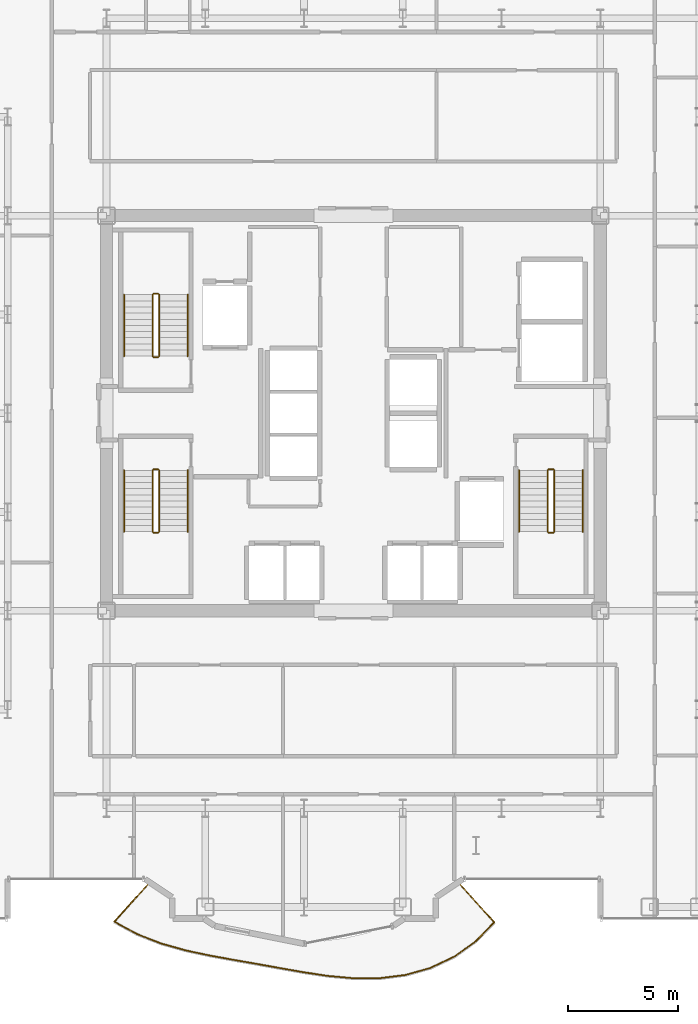
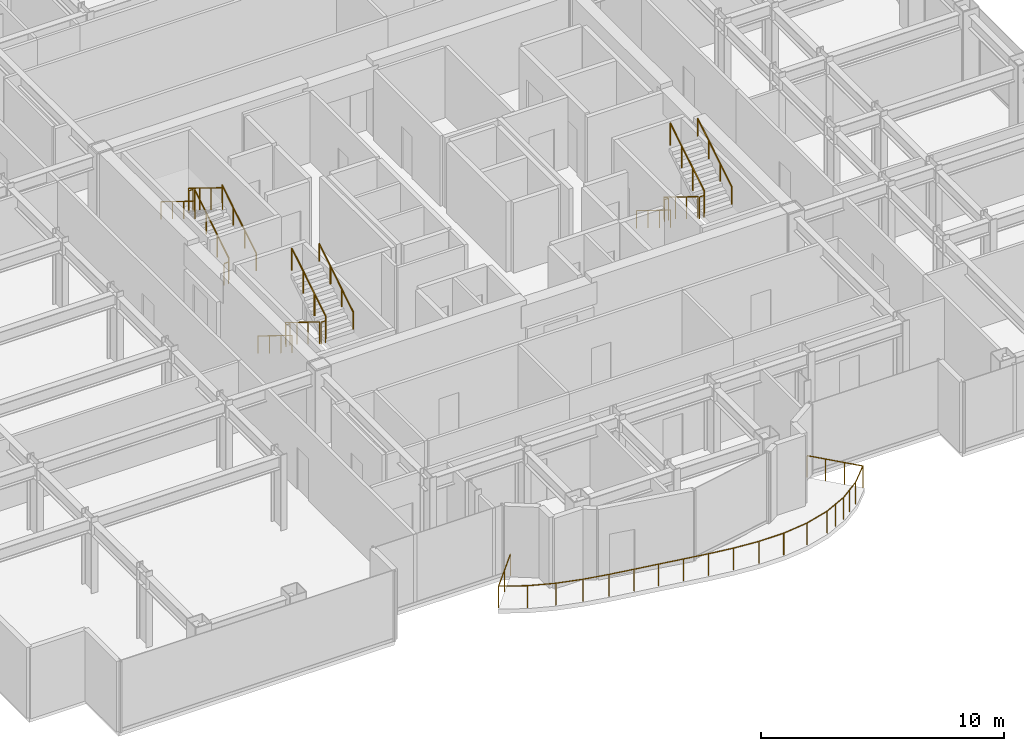
# One storey, part 24 of 25: 19 railings.
"""IFC4 building model written with IfcOpenShell, lengths in metres."""

from ifc_helpers import new_model, si_unit, direction, frame, origin, origin_2d, place, context, subcontext, project, spatial, circle, extrude, material, type_object, element, save


model = new_model("IFC4")

# Units and contexts
model_context = context("Model", 3, precision=1e-05, world=origin(), true_north=direction((0.0, 1.0)))
body_context = subcontext(model_context, "Body", "Model", "MODEL_VIEW")
ifc_project = project(units=[si_unit("LENGTHUNIT", "METRE"), si_unit("AREAUNIT", "SQUARE_METRE"), si_unit("VOLUMEUNIT", "CUBIC_METRE"), si_unit("PLANEANGLEUNIT", "RADIAN"), si_unit("MASSUNIT", "GRAM", prefix="KILO")], contexts=[model_context])

# Site, building, storey
site_placement = place(None, origin())
site = spatial("IfcSite", under=ifc_project, at=site_placement, CompositionType="ELEMENT")
building_placement = place(site_placement, origin())
building = spatial("IfcBuilding", under=site, at=building_placement, Name="Nefas-Gora Pilgrimage Tower", CompositionType="ELEMENT")
storey_placement = place(building_placement, frame((0.0, 0.0, 194.39990234375)))
storey = spatial("IfcBuildingStorey", under=building, at=storey_placement, Name="L48", CompositionType="ELEMENT", Elevation=194.39990234375)

# Railings
ifc_material_1 = material(Name="Laminated safety glass and stainless steel", Category="steel")
railing_type_1 = type_object("IfcRailingType", Name="RLG-BAL-1100", PredefinedType="BALUSTRADE", material=ifc_material_1)
railing_1_placement = place(storey_placement, frame((-9.302490234375, -21.402587890625, 0.0)))
element("IfcRailing", 1, at=railing_1_placement, inside=storey, type_object=railing_type_1, Name="L48 Wave Balcony Balustrade S2", PredefinedType="BALUSTRADE", context=body_context, shape_type="SweptSolid", body=[
    extrude(circle(Radius=0.02392578125, at=origin_2d()), frame((0.0, 0.0, 1.09619140625), z_axis=(-0.669135077133, -0.74314079995, 0.0), x_axis=(0.74314079995, -0.669135077133, 0.0)), (0.0, 0.0, 1.0), 2.375244140625),
    extrude(circle(Radius=0.02392578125, at=origin_2d()), frame((-1.58935546875, -1.76513671875, 1.09619140625), z_axis=(0.878083063922, -0.478508236976, 0.0), x_axis=(0.478508236976, 0.878083063922, 0.0)), (0.0, 0.0, 1.0), 1.19384765625),
    extrude(circle(Radius=0.02392578125, at=origin_2d()), frame((-0.541015625, -2.33642578125, 1.09619140625), z_axis=(0.932264516766, -0.361777377374, 0.0), x_axis=(0.361777377374, 0.932264516766, 0.0)), (0.0, 0.0, 1.0), 1.18017578125),
    extrude(circle(Radius=0.02392578125, at=origin_2d()), frame((0.559326171875, -2.763427734375, 1.09619140625), z_axis=(0.962944291486, -0.269700373552, 0.0), x_axis=(0.269700373552, 0.962944291486, 0.0)), (0.0, 0.0, 1.0), 1.156982421875),
    extrude(circle(Radius=0.02392578125, at=origin_2d()), frame((1.67333984375, -3.075439453125, 1.09619140625), z_axis=(0.978071187114, -0.208270864351, 0.0), x_axis=(0.208270864351, 0.978071187114, 0.0)), (0.0, 0.0, 1.0), 1.12646484375),
    extrude(circle(Radius=0.02392578125, at=origin_2d()), frame((2.775146484375, -3.31005859375, 1.09619140625), z_axis=(0.983987188897, -0.178239199074, 0.0), x_axis=(0.178239199074, 0.983987188897, 0.0)), (0.0, 0.0, 1.0), 1.09716796875),
    extrude(circle(Radius=0.02392578125, at=origin_2d()), frame((3.854736328125, -3.505615234375, 1.09619140625), z_axis=(0.985033351449, -0.172363849265, 0.0), x_axis=(0.172363849265, 0.985033351449, 0.0)), (0.0, 0.0, 1.0), 1.077880859375),
    extrude(circle(Radius=0.02392578125, at=origin_2d()), frame((4.91650390625, -3.69140625, 1.09619140625), z_axis=(0.984191230585, -0.177109067071, 0.0), x_axis=(0.177109067071, 0.984191230585, 0.0)), (0.0, 0.0, 1.0), 1.07666015625),
    extrude(circle(Radius=0.02392578125, at=origin_2d()), frame((5.97607421875, -3.882080078125, 1.09619140625), z_axis=(0.984747561973, -0.173989192737, 0.0), x_axis=(0.173989192737, 0.984747561973, 0.0)), (0.0, 0.0, 1.0), 1.093017578125),
    extrude(circle(Radius=0.02392578125, at=origin_2d()), frame((7.052490234375, -4.072265625, 1.09619140625), z_axis=(0.98891878254, -0.148457541204, 0.0), x_axis=(0.148457541204, 0.98891878254, 0.0)), (0.0, 0.0, 1.0), 1.12158203125),
    extrude(circle(Radius=0.02392578125, at=origin_2d()), frame((8.16162109375, -4.23876953125, 1.09619140625), z_axis=(0.995840939659, -0.091108851926, 0.0), x_axis=(0.091108851926, 0.995840939659, 0.0)), (0.0, 0.0, 1.0), 1.15234375),
    extrude(circle(Radius=0.02392578125, at=origin_2d()), frame((9.30908203125, -4.34375, 1.09619140625), z_axis=(0.999999806466, 0.000622148366, 0.0), x_axis=(-0.000622148366, 0.999999806466, 0.0)), (0.0, 0.0, 1.0), 1.17724609375),
    extrude(circle(Radius=0.02392578125, at=origin_2d()), frame((10.486328125, -4.343017578125, 1.09619140625), z_axis=(0.992246343829, 0.124286737661, 0.0), x_axis=(-0.124286737661, 0.992246343829, 0.0)), (0.0, 0.0, 1.0), 1.1923828125),
    extrude(circle(Radius=0.02392578125, at=origin_2d()), frame((11.66943359375, -4.19482421875, 1.09619140625), z_axis=(0.962380056338, 0.271706877282, 0.0), x_axis=(-0.271706877282, 0.962380056338, 0.0)), (0.0, 0.0, 1.0), 1.19873046875),
    extrude(circle(Radius=0.02392578125, at=origin_2d()), frame((12.822998046875, -3.869140625, 1.09619140625), z_axis=(0.902687538692, 0.430296650568, 0.0), x_axis=(-0.430296650568, 0.902687538692, 0.0)), (0.0, 0.0, 1.0), 1.20068359375),
    extrude(circle(Radius=0.02392578125, at=origin_2d()), frame((13.90673828125, -3.3525390625, 1.09619140625), z_axis=(0.812274321028, 0.58327560158, 0.0), x_axis=(-0.58327560158, 0.812274321028, 0.0)), (0.0, 0.0, 1.0), 1.200439453125),
    extrude(circle(Radius=0.02392578125, at=origin_2d()), frame((14.8818359375, -2.65234375, 1.09619140625), z_axis=(0.699126878219, 0.714997628074, 0.0), x_axis=(-0.714997628074, 0.699126878219, 0.0)), (0.0, 0.0, 1.0), 1.199951171875),
    extrude(circle(Radius=0.02392578125, at=origin_2d()), frame((15.720703125, -1.79443359375, 1.09619140625), z_axis=(-0.669132296829, 0.743143303368, 0.0), x_axis=(-0.743143303368, -0.669132296829, 0.0)), (0.0, 0.0, 1.0), 2.41455078125),
    extrude(circle(Radius=0.02099609375, at=origin_2d()), origin(), (0.0, 0.0, 1.0), 1.072021484375),
    extrude(circle(Radius=0.02099609375, at=origin_2d()), frame((-0.794677734375, -0.882568359375, 0.0)), (0.0, 0.0, 1.0), 1.072021484375),
    extrude(circle(Radius=0.02099609375, at=origin_2d()), frame((-1.58935546875, -1.76513671875, 0.0)), (0.0, 0.0, 1.0), 1.072021484375),
    extrude(circle(Radius=0.02099609375, at=origin_2d()), frame((-0.541015625, -2.33642578125, 0.0)), (0.0, 0.0, 1.0), 1.072021484375),
    extrude(circle(Radius=0.02099609375, at=origin_2d()), frame((0.559326171875, -2.763427734375, 0.0)), (0.0, 0.0, 1.0), 1.072021484375),
    extrude(circle(Radius=0.02099609375, at=origin_2d()), frame((1.67333984375, -3.075439453125, 0.0)), (0.0, 0.0, 1.0), 1.072021484375),
    extrude(circle(Radius=0.02099609375, at=origin_2d()), frame((2.775146484375, -3.31005859375, 0.0)), (0.0, 0.0, 1.0), 1.072021484375),
    extrude(circle(Radius=0.02099609375, at=origin_2d()), frame((3.854736328125, -3.505615234375, 0.0)), (0.0, 0.0, 1.0), 1.072021484375),
    extrude(circle(Radius=0.02099609375, at=origin_2d()), frame((4.91650390625, -3.69140625, 0.0)), (0.0, 0.0, 1.0), 1.072021484375),
    extrude(circle(Radius=0.02099609375, at=origin_2d()), frame((5.97607421875, -3.882080078125, 0.0)), (0.0, 0.0, 1.0), 1.072021484375),
    extrude(circle(Radius=0.02099609375, at=origin_2d()), frame((7.052490234375, -4.072265625, 0.0)), (0.0, 0.0, 1.0), 1.072021484375),
    extrude(circle(Radius=0.02099609375, at=origin_2d()), frame((8.16162109375, -4.23876953125, 0.0)), (0.0, 0.0, 1.0), 1.072021484375),
    extrude(circle(Radius=0.02099609375, at=origin_2d()), frame((9.30908203125, -4.34375, 0.0)), (0.0, 0.0, 1.0), 1.072021484375),
    extrude(circle(Radius=0.02099609375, at=origin_2d()), frame((10.486328125, -4.343017578125, 0.0)), (0.0, 0.0, 1.0), 1.072021484375),
    extrude(circle(Radius=0.02099609375, at=origin_2d()), frame((11.66943359375, -4.19482421875, 0.0)), (0.0, 0.0, 1.0), 1.072021484375),
    extrude(circle(Radius=0.02099609375, at=origin_2d()), frame((12.822998046875, -3.869140625, 0.0)), (0.0, 0.0, 1.0), 1.072021484375),
    extrude(circle(Radius=0.02099609375, at=origin_2d()), frame((13.36474609375, -3.61083984375, 0.0)), (0.0, 0.0, 1.0), 1.072021484375),
    extrude(circle(Radius=0.02099609375, at=origin_2d()), frame((13.90673828125, -3.3525390625, 0.0)), (0.0, 0.0, 1.0), 1.072021484375),
    extrude(circle(Radius=0.02099609375, at=origin_2d()), frame((14.394287109375, -3.00244140625, 0.0)), (0.0, 0.0, 1.0), 1.072021484375),
    extrude(circle(Radius=0.02099609375, at=origin_2d()), frame((14.8818359375, -2.65234375, 0.0)), (0.0, 0.0, 1.0), 1.072021484375),
    extrude(circle(Radius=0.02099609375, at=origin_2d()), frame((15.720703125, -1.79443359375, 0.0)), (0.0, 0.0, 1.0), 1.072021484375),
    extrude(circle(Radius=0.02099609375, at=origin_2d()), frame((15.18212890625, -1.1962890625, 0.0)), (0.0, 0.0, 1.0), 1.072021484375),
    extrude(circle(Radius=0.02099609375, at=origin_2d()), frame((14.6435546875, -0.59814453125, 0.0)), (0.0, 0.0, 1.0), 1.072021484375),
    extrude(circle(Radius=0.02099609375, at=origin_2d()), frame((14.10498046875, 0.0, 0.0)), (0.0, 0.0, 1.0), 1.072021484375),
])
ifc_material_2 = material(Name="Painted galvanised steel", Category="steel")
railing_type_2 = type_object("IfcRailingType", Name="RLG-STR-GUARD-1100", PredefinedType="GUARDRAIL", material=ifc_material_2)
railing_2_placement = place(storey_placement, frame((-8.85009765625, 2.60009765625, 0.1728515625)))
element("IfcRailing", 2, at=railing_2_placement, inside=storey, type_object=railing_type_2, Name="L48 ST-01 stair guard 1", PredefinedType="GUARDRAIL", context=body_context, shape_type="SweptSolid", body=[
    extrude(circle(Radius=0.02392578125, at=origin_2d()), frame((0.0, 0.0, 1.09619140625), z_axis=(0.0, 0.851069175582, 0.525053576669), x_axis=(-1.0, 0.0, 0.0)), (0.0, 0.0, 1.0), 3.289794921875),
    extrude(circle(Radius=0.02099609375, at=origin_2d()), origin(), (0.0, 0.0, 1.0), 1.072021484375),
    extrude(circle(Radius=0.02099609375, at=origin_2d()), frame((0.0, 0.933349609375, 0.57568359375)), (0.0, 0.0, 1.0), 1.072021484375),
    extrude(circle(Radius=0.02099609375, at=origin_2d()), frame((0.0, 1.866455078125, 1.151611328125)), (0.0, 0.0, 1.0), 1.072021484375),
    extrude(circle(Radius=0.02099609375, at=origin_2d()), frame((0.0, 2.7998046875, 1.727294921875)), (0.0, 0.0, 1.0), 1.072021484375),
])
railing_3_placement = place(storey_placement, frame((-8.89990234375, 5.449951171875, 1.900146484375)))
element("IfcRailing", 3, at=railing_3_placement, inside=storey, type_object=railing_type_2, Name="L48 ST-01 stair guard 2", PredefinedType="GUARDRAIL", context=body_context, shape_type="SweptSolid", body=[
    extrude(circle(Radius=0.02392578125, at=origin_2d()), frame((0.0, 0.0, 1.09619140625), z_axis=(-1.0, 0.0, 0.0), x_axis=(0.0, -1.0, 0.0)), (0.0, 0.0, 1.0), 0.2001953125),
    extrude(circle(Radius=0.02099609375, at=origin_2d()), origin(), (0.0, 0.0, 1.0), 1.072021484375),
    extrude(circle(Radius=0.02099609375, at=origin_2d()), frame((-0.2001953125, 0.0, 0.0)), (0.0, 0.0, 1.0), 1.072021484375),
])
railing_4_placement = place(storey_placement, frame((-9.14990234375, 5.39990234375, 2.07275390625)))
element("IfcRailing", 4, at=railing_4_placement, inside=storey, type_object=railing_type_2, Name="L48 ST-01 stair guard 3", PredefinedType="GUARDRAIL", context=body_context, shape_type="SweptSolid", body=[
    extrude(circle(Radius=0.02392578125, at=origin_2d()), frame((0.0, 0.0, 1.09619140625), z_axis=(0.0, -0.851069175582, 0.525053576669), x_axis=(1.0, 0.0, 0.0)), (0.0, 0.0, 1.0), 3.289794921875),
    extrude(circle(Radius=0.02099609375, at=origin_2d()), origin(), (0.0, 0.0, 1.0), 1.072021484375),
    extrude(circle(Radius=0.02099609375, at=origin_2d()), frame((0.0, -0.933349609375, 0.57568359375)), (0.0, 0.0, 1.0), 1.072021484375),
    extrude(circle(Radius=0.02099609375, at=origin_2d()), frame((0.0, -1.866455078125, 1.151611328125)), (0.0, 0.0, 1.0), 1.072021484375),
    extrude(circle(Radius=0.02099609375, at=origin_2d()), frame((0.0, -2.7998046875, 1.727294921875)), (0.0, 0.0, 1.0), 1.072021484375),
])
railing_5_placement = place(storey_placement, frame((-8.89990234375, 2.550048828125, 0.0)))
element("IfcRailing", 5, at=railing_5_placement, inside=storey, type_object=railing_type_2, Name="L48 ST-01 stair guard 4", PredefinedType="GUARDRAIL", context=body_context, shape_type="SweptSolid", body=[
    extrude(circle(Radius=0.02392578125, at=origin_2d()), frame((0.0, 0.0, 1.09619140625), z_axis=(-1.0, 0.0, 0.0), x_axis=(0.0, -1.0, 0.0)), (0.0, 0.0, 1.0), 0.2001953125),
    extrude(circle(Radius=0.02099609375, at=origin_2d()), origin(), (0.0, 0.0, 1.0), 1.072021484375),
    extrude(circle(Radius=0.02099609375, at=origin_2d()), frame((-0.2001953125, 0.0, 0.0)), (0.0, 0.0, 1.0), 1.072021484375),
])
railing_6_placement = place(storey_placement, frame((8.85009765625, -2.60009765625, 0.1728515625)))
element("IfcRailing", 6, at=railing_6_placement, inside=storey, type_object=railing_type_2, Name="L48 ST-02 stair guard 1", PredefinedType="GUARDRAIL", context=body_context, shape_type="SweptSolid", body=[
    extrude(circle(Radius=0.02392578125, at=origin_2d()), frame((0.0, 0.0, 1.09619140625), z_axis=(0.0, -0.851069175582, 0.525053576669), x_axis=(1.0, 0.0, 0.0)), (0.0, 0.0, 1.0), 3.289794921875),
    extrude(circle(Radius=0.02099609375, at=origin_2d()), origin(), (0.0, 0.0, 1.0), 1.072021484375),
    extrude(circle(Radius=0.02099609375, at=origin_2d()), frame((0.0, -0.933349609375, 0.57568359375)), (0.0, 0.0, 1.0), 1.072021484375),
    extrude(circle(Radius=0.02099609375, at=origin_2d()), frame((0.0, -1.866455078125, 1.151611328125)), (0.0, 0.0, 1.0), 1.072021484375),
    extrude(circle(Radius=0.02099609375, at=origin_2d()), frame((0.0, -2.7998046875, 1.727294921875)), (0.0, 0.0, 1.0), 1.072021484375),
])
railing_7_placement = place(storey_placement, frame((8.89990234375, -5.449951171875, 1.900146484375)))
element("IfcRailing", 7, at=railing_7_placement, inside=storey, type_object=railing_type_2, Name="L48 ST-02 stair guard 2", PredefinedType="GUARDRAIL", context=body_context, shape_type="SweptSolid", body=[
    extrude(circle(Radius=0.02392578125, at=origin_2d()), frame((0.0, 0.0, 1.09619140625), z_axis=(1.0, 0.0, 0.0), x_axis=(0.0, 1.0, 0.0)), (0.0, 0.0, 1.0), 0.2001953125),
    extrude(circle(Radius=0.02099609375, at=origin_2d()), origin(), (0.0, 0.0, 1.0), 1.072021484375),
    extrude(circle(Radius=0.02099609375, at=origin_2d()), frame((0.2001953125, 0.0, 0.0)), (0.0, 0.0, 1.0), 1.072021484375),
])
railing_8_placement = place(storey_placement, frame((9.14990234375, -5.39990234375, 2.07275390625)))
element("IfcRailing", 8, at=railing_8_placement, inside=storey, type_object=railing_type_2, Name="L48 ST-02 stair guard 3", PredefinedType="GUARDRAIL", context=body_context, shape_type="SweptSolid", body=[
    extrude(circle(Radius=0.02392578125, at=origin_2d()), frame((0.0, 0.0, 1.09619140625), z_axis=(0.0, 0.851069175582, 0.525053576669), x_axis=(-1.0, 0.0, 0.0)), (0.0, 0.0, 1.0), 3.289794921875),
    extrude(circle(Radius=0.02099609375, at=origin_2d()), origin(), (0.0, 0.0, 1.0), 1.072021484375),
    extrude(circle(Radius=0.02099609375, at=origin_2d()), frame((0.0, 0.933349609375, 0.57568359375)), (0.0, 0.0, 1.0), 1.072021484375),
    extrude(circle(Radius=0.02099609375, at=origin_2d()), frame((0.0, 1.866455078125, 1.151611328125)), (0.0, 0.0, 1.0), 1.072021484375),
    extrude(circle(Radius=0.02099609375, at=origin_2d()), frame((0.0, 2.7998046875, 1.727294921875)), (0.0, 0.0, 1.0), 1.072021484375),
])
railing_9_placement = place(storey_placement, frame((8.89990234375, -2.550048828125, 0.0)))
element("IfcRailing", 9, at=railing_9_placement, inside=storey, type_object=railing_type_2, Name="L48 ST-02 stair guard 4", PredefinedType="GUARDRAIL", context=body_context, shape_type="SweptSolid", body=[
    extrude(circle(Radius=0.02392578125, at=origin_2d()), frame((0.0, 0.0, 1.09619140625), z_axis=(1.0, 0.0, 0.0), x_axis=(0.0, 1.0, 0.0)), (0.0, 0.0, 1.0), 0.2001953125),
    extrude(circle(Radius=0.02099609375, at=origin_2d()), origin(), (0.0, 0.0, 1.0), 1.072021484375),
    extrude(circle(Radius=0.02099609375, at=origin_2d()), frame((0.2001953125, 0.0, 0.0)), (0.0, 0.0, 1.0), 1.072021484375),
])
railing_10_placement = place(storey_placement, frame((-9.14990234375, -2.60009765625, 0.1728515625)))
element("IfcRailing", 10, at=railing_10_placement, inside=storey, type_object=railing_type_2, Name="L48 ST-03 stair guard 1", PredefinedType="GUARDRAIL", context=body_context, shape_type="SweptSolid", body=[
    extrude(circle(Radius=0.02392578125, at=origin_2d()), frame((0.0, 0.0, 1.09619140625), z_axis=(0.0, -0.851069175582, 0.525053576669), x_axis=(1.0, 0.0, 0.0)), (0.0, 0.0, 1.0), 3.289794921875),
    extrude(circle(Radius=0.02099609375, at=origin_2d()), origin(), (0.0, 0.0, 1.0), 1.072021484375),
    extrude(circle(Radius=0.02099609375, at=origin_2d()), frame((0.0, -0.933349609375, 0.57568359375)), (0.0, 0.0, 1.0), 1.072021484375),
    extrude(circle(Radius=0.02099609375, at=origin_2d()), frame((0.0, -1.866455078125, 1.151611328125)), (0.0, 0.0, 1.0), 1.072021484375),
    extrude(circle(Radius=0.02099609375, at=origin_2d()), frame((0.0, -2.7998046875, 1.727294921875)), (0.0, 0.0, 1.0), 1.072021484375),
])
railing_11_placement = place(storey_placement, frame((-9.10009765625, -5.449951171875, 1.900146484375)))
element("IfcRailing", 11, at=railing_11_placement, inside=storey, type_object=railing_type_2, Name="L48 ST-03 stair guard 2", PredefinedType="GUARDRAIL", context=body_context, shape_type="SweptSolid", body=[
    extrude(circle(Radius=0.02392578125, at=origin_2d()), frame((0.0, 0.0, 1.09619140625), z_axis=(1.0, 0.0, 0.0), x_axis=(0.0, 1.0, 0.0)), (0.0, 0.0, 1.0), 0.2001953125),
    extrude(circle(Radius=0.02099609375, at=origin_2d()), origin(), (0.0, 0.0, 1.0), 1.072021484375),
    extrude(circle(Radius=0.02099609375, at=origin_2d()), frame((0.2001953125, 0.0, 0.0)), (0.0, 0.0, 1.0), 1.072021484375),
])
railing_12_placement = place(storey_placement, frame((-8.85009765625, -5.39990234375, 2.07275390625)))
element("IfcRailing", 12, at=railing_12_placement, inside=storey, type_object=railing_type_2, Name="L48 ST-03 stair guard 3", PredefinedType="GUARDRAIL", context=body_context, shape_type="SweptSolid", body=[
    extrude(circle(Radius=0.02392578125, at=origin_2d()), frame((0.0, 0.0, 1.09619140625), z_axis=(0.0, 0.851069175582, 0.525053576669), x_axis=(-1.0, 0.0, 0.0)), (0.0, 0.0, 1.0), 3.289794921875),
    extrude(circle(Radius=0.02099609375, at=origin_2d()), origin(), (0.0, 0.0, 1.0), 1.072021484375),
    extrude(circle(Radius=0.02099609375, at=origin_2d()), frame((0.0, 0.933349609375, 0.57568359375)), (0.0, 0.0, 1.0), 1.072021484375),
    extrude(circle(Radius=0.02099609375, at=origin_2d()), frame((0.0, 1.866455078125, 1.151611328125)), (0.0, 0.0, 1.0), 1.072021484375),
    extrude(circle(Radius=0.02099609375, at=origin_2d()), frame((0.0, 2.7998046875, 1.727294921875)), (0.0, 0.0, 1.0), 1.072021484375),
])
railing_13_placement = place(storey_placement, frame((-9.10009765625, -2.550048828125, 0.0)))
element("IfcRailing", 13, at=railing_13_placement, inside=storey, type_object=railing_type_2, Name="L48 ST-03 stair guard 4", PredefinedType="GUARDRAIL", context=body_context, shape_type="SweptSolid", body=[
    extrude(circle(Radius=0.02392578125, at=origin_2d()), frame((0.0, 0.0, 1.09619140625), z_axis=(1.0, 0.0, 0.0), x_axis=(0.0, 1.0, 0.0)), (0.0, 0.0, 1.0), 0.2001953125),
    extrude(circle(Radius=0.02099609375, at=origin_2d()), origin(), (0.0, 0.0, 1.0), 1.072021484375),
    extrude(circle(Radius=0.02099609375, at=origin_2d()), frame((0.2001953125, 0.0, 0.0)), (0.0, 0.0, 1.0), 1.072021484375),
])
ifc_material_3 = material(Name="Brushed stainless steel", Category="steel")
railing_type_3 = type_object("IfcRailingType", Name="RLG-STR-HAND-900", PredefinedType="HANDRAIL", material=ifc_material_3)
railing_14_placement = place(storey_placement, frame((-7.550048828125, 2.60009765625, 0.1728515625)))
element("IfcRailing", 14, at=railing_14_placement, inside=storey, type_object=railing_type_3, Name="L48 ST-01 stair handrail 1", PredefinedType="HANDRAIL", context=body_context, shape_type="SweptSolid", body=[
    extrude(circle(Radius=0.02392578125, at=origin_2d()), frame((0.0, 0.0, 0.8759765625), z_axis=(0.0, 0.851069175582, 0.525053576669), x_axis=(-1.0, 0.0, 0.0)), (0.0, 0.0, 1.0), 3.289794921875),
    extrude(circle(Radius=0.02099609375, at=origin_2d()), origin(), (0.0, 0.0, 1.0), 0.851806640625),
    extrude(circle(Radius=0.02099609375, at=origin_2d()), frame((0.0, 0.933349609375, 0.57568359375)), (0.0, 0.0, 1.0), 0.851806640625),
    extrude(circle(Radius=0.02099609375, at=origin_2d()), frame((0.0, 1.866455078125, 1.151611328125)), (0.0, 0.0, 1.0), 0.851806640625),
    extrude(circle(Radius=0.02099609375, at=origin_2d()), frame((0.0, 2.7998046875, 1.727294921875)), (0.0, 0.0, 1.0), 0.851806640625),
])
for number, where, name in (
    (15, (-10.449951171875, 5.39990234375, 2.07275390625), "L48 ST-01 stair handrail 2"),
    (16, (7.550048828125, -2.60009765625, 0.1728515625), "L48 ST-02 stair handrail 1"),
):
    element("IfcRailing", number, at=place(storey_placement, frame(where)), inside=storey, type_object=railing_type_3, Name=name, PredefinedType="HANDRAIL", context=body_context, shape_type="SweptSolid", body=[
        extrude(circle(Radius=0.02392578125, at=origin_2d()), frame((0.0, 0.0, 0.8759765625), z_axis=(0.0, -0.851069175582, 0.525053576669), x_axis=(1.0, 0.0, 0.0)), (0.0, 0.0, 1.0), 3.289794921875),
        extrude(circle(Radius=0.02099609375, at=origin_2d()), origin(), (0.0, 0.0, 1.0), 0.851806640625),
        extrude(circle(Radius=0.02099609375, at=origin_2d()), frame((0.0, -0.933349609375, 0.57568359375)), (0.0, 0.0, 1.0), 0.851806640625),
        extrude(circle(Radius=0.02099609375, at=origin_2d()), frame((0.0, -1.866455078125, 1.151611328125)), (0.0, 0.0, 1.0), 0.851806640625),
        extrude(circle(Radius=0.02099609375, at=origin_2d()), frame((0.0, -2.7998046875, 1.727294921875)), (0.0, 0.0, 1.0), 0.851806640625),
    ])
railing_15_placement = place(storey_placement, frame((10.449951171875, -5.39990234375, 2.07275390625)))
element("IfcRailing", 17, at=railing_15_placement, inside=storey, type_object=railing_type_3, Name="L48 ST-02 stair handrail 2", PredefinedType="HANDRAIL", context=body_context, shape_type="SweptSolid", body=[
    extrude(circle(Radius=0.02392578125, at=origin_2d()), frame((0.0, 0.0, 0.8759765625), z_axis=(0.0, 0.851069175582, 0.525053576669), x_axis=(-1.0, 0.0, 0.0)), (0.0, 0.0, 1.0), 3.289794921875),
    extrude(circle(Radius=0.02099609375, at=origin_2d()), origin(), (0.0, 0.0, 1.0), 0.851806640625),
    extrude(circle(Radius=0.02099609375, at=origin_2d()), frame((0.0, 0.933349609375, 0.57568359375)), (0.0, 0.0, 1.0), 0.851806640625),
    extrude(circle(Radius=0.02099609375, at=origin_2d()), frame((0.0, 1.866455078125, 1.151611328125)), (0.0, 0.0, 1.0), 0.851806640625),
    extrude(circle(Radius=0.02099609375, at=origin_2d()), frame((0.0, 2.7998046875, 1.727294921875)), (0.0, 0.0, 1.0), 0.851806640625),
])
railing_16_placement = place(storey_placement, frame((-10.449951171875, -2.60009765625, 0.1728515625)))
element("IfcRailing", 18, at=railing_16_placement, inside=storey, type_object=railing_type_3, Name="L48 ST-03 stair handrail 1", PredefinedType="HANDRAIL", context=body_context, shape_type="SweptSolid", body=[
    extrude(circle(Radius=0.02392578125, at=origin_2d()), frame((0.0, 0.0, 0.8759765625), z_axis=(0.0, -0.851069175582, 0.525053576669), x_axis=(1.0, 0.0, 0.0)), (0.0, 0.0, 1.0), 3.289794921875),
    extrude(circle(Radius=0.02099609375, at=origin_2d()), origin(), (0.0, 0.0, 1.0), 0.851806640625),
    extrude(circle(Radius=0.02099609375, at=origin_2d()), frame((0.0, -0.933349609375, 0.57568359375)), (0.0, 0.0, 1.0), 0.851806640625),
    extrude(circle(Radius=0.02099609375, at=origin_2d()), frame((0.0, -1.866455078125, 1.151611328125)), (0.0, 0.0, 1.0), 0.851806640625),
    extrude(circle(Radius=0.02099609375, at=origin_2d()), frame((0.0, -2.7998046875, 1.727294921875)), (0.0, 0.0, 1.0), 0.851806640625),
])
railing_17_placement = place(storey_placement, frame((-7.550048828125, -5.39990234375, 2.07275390625)))
element("IfcRailing", 19, at=railing_17_placement, inside=storey, type_object=railing_type_3, Name="L48 ST-03 stair handrail 2", PredefinedType="HANDRAIL", context=body_context, shape_type="SweptSolid", body=[
    extrude(circle(Radius=0.02392578125, at=origin_2d()), frame((0.0, 0.0, 0.8759765625), z_axis=(0.0, 0.851069175582, 0.525053576669), x_axis=(-1.0, 0.0, 0.0)), (0.0, 0.0, 1.0), 3.289794921875),
    extrude(circle(Radius=0.02099609375, at=origin_2d()), origin(), (0.0, 0.0, 1.0), 0.851806640625),
    extrude(circle(Radius=0.02099609375, at=origin_2d()), frame((0.0, 0.933349609375, 0.57568359375)), (0.0, 0.0, 1.0), 0.851806640625),
    extrude(circle(Radius=0.02099609375, at=origin_2d()), frame((0.0, 1.866455078125, 1.151611328125)), (0.0, 0.0, 1.0), 0.851806640625),
    extrude(circle(Radius=0.02099609375, at=origin_2d()), frame((0.0, 2.7998046875, 1.727294921875)), (0.0, 0.0, 1.0), 0.851806640625),
])

save(model, "model.ifc")
